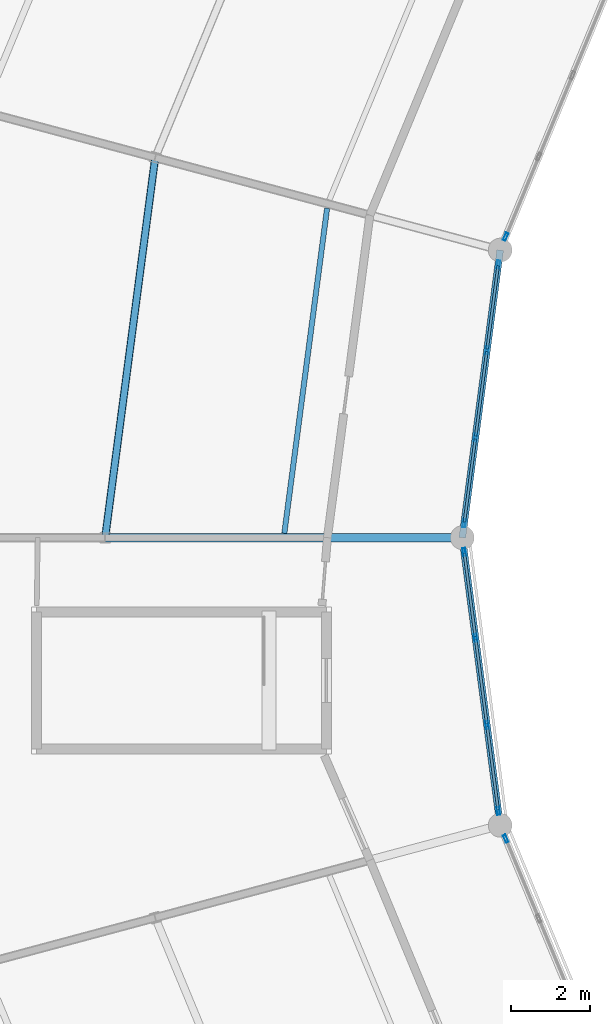
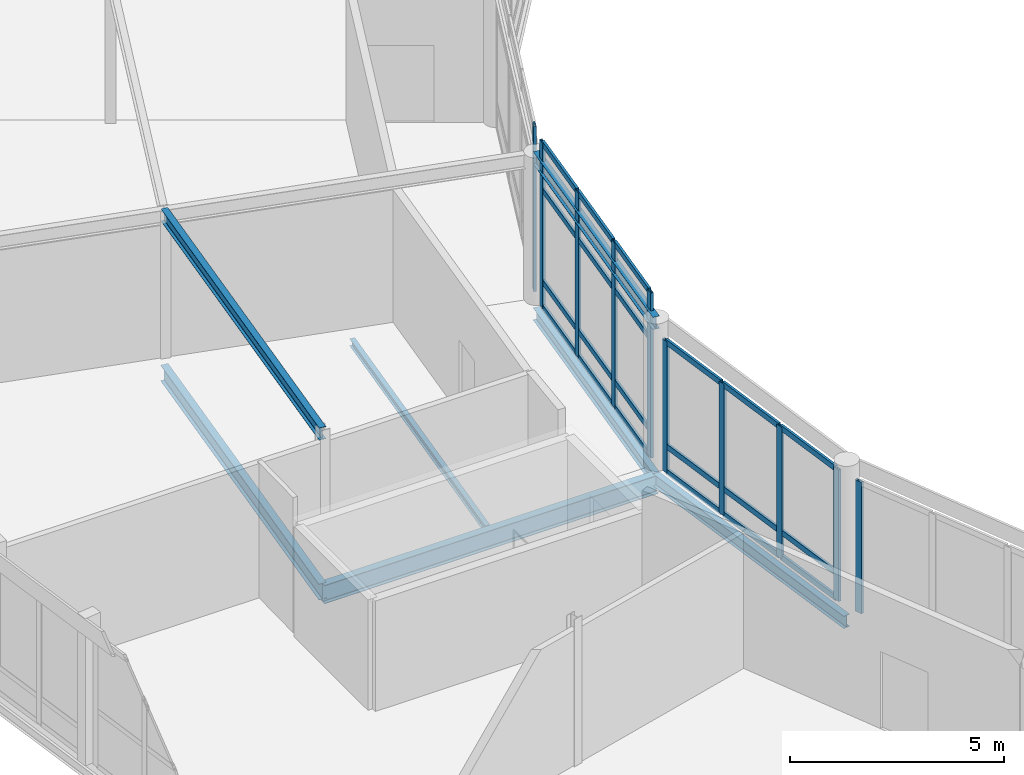
# One storey, part 80 of 200: 31 members, 7 beams, 4 elements without a shape of their own.
"""IFC4 building model written with IfcOpenShell, lengths in metres."""

from ifc_helpers import new_model, si_unit, direction, frame, origin, origin_2d, place, context, subcontext, project, spatial, hollow_rectangle, i_section, extrude, material, material_profile, profile_set, type_object, element, aggregate, save


model = new_model("IFC4")

# Units and contexts
model_context = context("Model", 3, precision=1e-05, world=origin(), true_north=direction((0.0, 1.0)))
body_context = subcontext(model_context, "Body", "Model", "MODEL_VIEW")
ifc_project = project(units=[si_unit("LENGTHUNIT", "METRE"), si_unit("AREAUNIT", "SQUARE_METRE"), si_unit("VOLUMEUNIT", "CUBIC_METRE"), si_unit("PLANEANGLEUNIT", "RADIAN"), si_unit("MASSUNIT", "GRAM", prefix="KILO")], contexts=[model_context])

# Site, building, storey
site_placement = place(None, origin())
site = spatial("IfcSite", under=ifc_project, at=site_placement, CompositionType="ELEMENT")
building_placement = place(site_placement, origin())
building = spatial("IfcBuilding", under=site, at=building_placement, Name="Vondelvale Polytechnic", CompositionType="ELEMENT")
storey_placement = place(building_placement, frame((0.0, 0.0, 13.800048828125)))
storey = spatial("IfcBuildingStorey", under=building, at=storey_placement, Name="L03", CompositionType="ELEMENT", Elevation=13.800048828125)

# Beams
ifc_material_1 = material(Name="Steel 300PLUS (fy = 300 MPa)", Category="steel")
ifc_material_profile_1 = material_profile(ifc_material_1, i_section(OverallWidth=0.1708984375, OverallDepth=0.35205078125, WebThickness=0.0068359375, FlangeThickness=0.009765625, FilletRadius=0.011474609375, at=origin_2d()), Name="360UB44.7")
ifc_profile_set_1 = profile_set([ifc_material_profile_1], Name="Steel 300PLUS (fy = 300 MPa)")
beam_type_1 = type_object("IfcBeamType", Name="BM-UB360L", PredefinedType="BEAM", material=ifc_profile_set_1)
for number, where, z_axis, x_axis, name in (
    (1, (74.9541015625, 79.246826171875, -0.426025390625), (-0.13053140969, -0.991444174467, 0.0), (0.991444174467, -0.13053140969, 0.0), "L03 RB B-24"),
    (2, (74.9541015625, 79.246826171875, 4.02392578125), (-0.13053140969, -0.991444174467, 0.0), (0.991444174467, -0.13053140969, 0.0), "L03 RE B-24"),
):
    element("IfcBeam", number, at=place(storey_placement, frame(where, z_axis=z_axis, x_axis=x_axis)), inside=storey, type_object=beam_type_1, Name=name, PredefinedType="BEAM", context=body_context, shape_type="SweptSolid", body=[
        extrude(i_section(OverallWidth=0.1708984375, OverallDepth=0.35205078125, WebThickness=0.0068359375, FlangeThickness=0.009765625, FilletRadius=0.011474609375, at=origin_2d()), origin(), (0.0, 0.0, 1.0), 7.309326171875),
    ])
beam_1_placement = place(storey_placement, frame((66.2607421875, 81.576416015625, 4.02392578125), z_axis=(-0.130524472487, -0.991445087779, 0.0), x_axis=(0.991445087779, -0.130524472487, 0.0)))
element("IfcBeam", 3, at=beam_1_placement, inside=storey, type_object=beam_type_1, Name="L03 RE B-24", PredefinedType="BEAM", context=body_context, shape_type="SweptSolid", body=[
    extrude(i_section(OverallWidth=0.1708984375, OverallDepth=0.35205078125, WebThickness=0.0068359375, FlangeThickness=0.009765625, FilletRadius=0.011474609375, at=origin_2d()), origin(), (0.0, 0.0, 1.0), 9.658935546875),
])
beam_2_placement = place(storey_placement, frame((74.0, 72.0, -0.426025390625), z_axis=(0.13053140969, -0.991444174467, 0.0), x_axis=(0.991444174467, 0.13053140969, 0.0)))
element("IfcBeam", 4, at=beam_2_placement, inside=storey, type_object=beam_type_1, Name="L03 RB B-24", PredefinedType="BEAM", context=body_context, shape_type="SweptSolid", body=[
    extrude(i_section(OverallWidth=0.1708984375, OverallDepth=0.35205078125, WebThickness=0.0068359375, FlangeThickness=0.009765625, FilletRadius=0.011474609375, at=origin_2d()), origin(), (0.0, 0.0, 1.0), 7.309326171875),
])
ifc_material_profile_2 = material_profile(ifc_material_1, i_section(OverallWidth=0.18994140625, OverallDepth=0.4541015625, WebThickness=0.008544921875, FlangeThickness=0.0126953125, FilletRadius=0.011474609375, at=origin_2d()), Name="460UB67.1")
ifc_profile_set_2 = profile_set([ifc_material_profile_2], Name="Steel 300PLUS (fy = 300 MPa)")
beam_type_2 = type_object("IfcBeamType", Name="BM-UB460L", PredefinedType="BEAM", material=ifc_profile_set_2)
beam_3_placement = place(storey_placement, frame((66.2607421875, 81.576416015625, -0.47705078125), z_axis=(-0.130524472487, -0.991445087779, 0.0), x_axis=(0.991445087779, -0.130524472487, 0.0)))
element("IfcBeam", 5, at=beam_3_placement, inside=storey, type_object=beam_type_2, Name="L03 RB B-22", PredefinedType="BEAM", context=body_context, shape_type="SweptSolid", body=[
    extrude(i_section(OverallWidth=0.18994140625, OverallDepth=0.4541015625, WebThickness=0.008544921875, FlangeThickness=0.0126953125, FilletRadius=0.011474609375, at=origin_2d()), origin(), (0.0, 0.0, 1.0), 9.658935546875),
])
ifc_material_profile_3 = material_profile(ifc_material_1, i_section(OverallWidth=0.208984375, OverallDepth=0.528076171875, WebThickness=0.009521484375, FlangeThickness=0.01318359375, FilletRadius=0.013916015625, at=origin_2d()), Name="530UB82.0")
ifc_profile_set_3 = profile_set([ifc_material_profile_3], Name="Steel 300PLUS (fy = 300 MPa)")
beam_type_3 = type_object("IfcBeamType", Name="BM-UB530L", PredefinedType="BEAM", material=ifc_profile_set_3)
beam_4_placement = place(storey_placement, frame((74.0, 72.0, -0.51416015625), z_axis=(-1.0, 0.0, 0.0), x_axis=(0.0, -1.0, 0.0)))
element("IfcBeam", 6, at=beam_4_placement, inside=storey, type_object=beam_type_3, Name="L03 RG B-21", PredefinedType="BEAM", context=body_context, shape_type="SweptSolid", body=[
    extrude(i_section(OverallWidth=0.208984375, OverallDepth=0.528076171875, WebThickness=0.009521484375, FlangeThickness=0.01318359375, FilletRadius=0.013916015625, at=origin_2d()), origin(), (0.0, 0.0, 1.0), 9.0),
])

# Curtain wall, member
ifc_material_2 = material(Name="Anodised extruded aluminium 6063-T6", Category="aluminium")
curtain_wall_type = type_object("IfcCurtainWallType", Name="CW-RING-CLOISTER", PredefinedType="NOTDEFINED", material=ifc_material_2)
curtain_wall_1_placement = place(storey_placement, origin())
curtain_wall_1 = element("IfcCurtainWall", 7, at=curtain_wall_1_placement, inside=storey, type_object=curtain_wall_type, Name="L03 architectural curtain wall CW-03-237", PredefinedType="NOTDEFINED")
ifc_material_profile_4 = material_profile(ifc_material_2, hollow_rectangle(XDim=0.070068359375, YDim=0.199951171875, WallThickness=0.00390625, at=origin_2d()), Name="CW-MUL-200x70")
ifc_profile_set_4 = profile_set([ifc_material_profile_4], Name="Anodised extruded aluminium 6063-T6")
member_type_1 = type_object("IfcMemberType", Name="CW-MUL-70x200", PredefinedType="MULLION", material=ifc_profile_set_4)
member_1_placement = place(storey_placement, frame((75.09375, 79.584228515625, 0.0), z_axis=(0.0, 0.0, 1.0), x_axis=(0.923881562419, -0.382678531697, 0.0)))
member_1 = element("IfcMember", 8, at=member_1_placement, type_object=member_type_1, Name="CW-03-237 mullion 4", PredefinedType="MULLION", context=body_context, shape_type="SweptSolid", body=[
    extrude(hollow_rectangle(XDim=0.070068359375, YDim=0.199951171875, WallThickness=0.00390625, at=origin_2d()), origin(), (0.0, 0.0, 1.0), 4.713134765625),
])
aggregate(curtain_wall_1, [member_1])

# Curtain wall, members
curtain_wall_2_placement = place(storey_placement, origin())
curtain_wall_2 = element("IfcCurtainWall", 9, at=curtain_wall_2_placement, inside=storey, type_object=curtain_wall_type, Name="L03 architectural curtain wall CW-03-252", PredefinedType="NOTDEFINED")
member_2_placement = place(storey_placement, frame((74.90673828125, 78.886474609375, 0.0), z_axis=(0.0, 0.0, 1.0), x_axis=(0.99144462243, -0.130528007165, 0.0)))
member_2 = element("IfcMember", 10, at=member_2_placement, type_object=member_type_1, Name="CW-03-252 mullion 1", PredefinedType="MULLION", context=body_context, shape_type="SweptSolid", body=[
    extrude(hollow_rectangle(XDim=0.070068359375, YDim=0.199951171875, WallThickness=0.00390625, at=origin_2d()), origin(), (0.0, 0.0, 1.0), 4.713134765625),
])
member_3_placement = place(storey_placement, frame((74.621826171875, 76.72265625, 0.0), z_axis=(0.0, 0.0, 1.0), x_axis=(0.99144462243, -0.130528007165, 0.0)))
member_3 = element("IfcMember", 11, at=member_3_placement, type_object=member_type_1, Name="CW-03-252 mullion 2", PredefinedType="MULLION", context=body_context, shape_type="SweptSolid", body=[
    extrude(hollow_rectangle(XDim=0.070068359375, YDim=0.199951171875, WallThickness=0.00390625, at=origin_2d()), origin(), (0.0, 0.0, 1.0), 4.713134765625),
])
member_4_placement = place(storey_placement, frame((74.332275390625, 74.524169921875, 0.0), z_axis=(0.0, 0.0, 1.0), x_axis=(0.99144462243, -0.130528007165, 0.0)))
member_4 = element("IfcMember", 12, at=member_4_placement, type_object=member_type_1, Name="CW-03-252 mullion 3", PredefinedType="MULLION", context=body_context, shape_type="SweptSolid", body=[
    extrude(hollow_rectangle(XDim=0.070068359375, YDim=0.199951171875, WallThickness=0.00390625, at=origin_2d()), origin(), (0.0, 0.0, 1.0), 4.713134765625),
])
member_5_placement = place(storey_placement, frame((74.04736328125, 72.360595703125, 0.0), z_axis=(0.0, 0.0, 1.0), x_axis=(0.99144462243, -0.130528007165, 0.0)))
member_5 = element("IfcMember", 13, at=member_5_placement, type_object=member_type_1, Name="CW-03-252 mullion 4", PredefinedType="MULLION", context=body_context, shape_type="SweptSolid", body=[
    extrude(hollow_rectangle(XDim=0.070068359375, YDim=0.199951171875, WallThickness=0.00390625, at=origin_2d()), origin(), (0.0, 0.0, 1.0), 4.713134765625),
])

curtain_wall_3_placement = place(storey_placement, origin())
curtain_wall_3 = element("IfcCurtainWall", 14, at=curtain_wall_3_placement, inside=storey, type_object=curtain_wall_type, Name="L03 architectural curtain wall CW-03-267", PredefinedType="NOTDEFINED")
member_6_placement = place(storey_placement, frame((74.04736328125, 71.639404296875, 0.0), z_axis=(0.0, 0.0, 1.0), x_axis=(0.99144462243, 0.130528007165, 0.0)))
member_6 = element("IfcMember", 15, at=member_6_placement, type_object=member_type_1, Name="CW-03-267 mullion 1", PredefinedType="MULLION", context=body_context, shape_type="SweptSolid", body=[
    extrude(hollow_rectangle(XDim=0.070068359375, YDim=0.199951171875, WallThickness=0.00390625, at=origin_2d()), origin(), (0.0, 0.0, 1.0), 3.75),
])
member_7_placement = place(storey_placement, frame((74.332275390625, 69.475830078125, 0.0), z_axis=(0.0, 0.0, 1.0), x_axis=(0.99144462243, 0.130528007165, 0.0)))
member_7 = element("IfcMember", 16, at=member_7_placement, type_object=member_type_1, Name="CW-03-267 mullion 2", PredefinedType="MULLION", context=body_context, shape_type="SweptSolid", body=[
    extrude(hollow_rectangle(XDim=0.070068359375, YDim=0.199951171875, WallThickness=0.00390625, at=origin_2d()), origin(), (0.0, 0.0, 1.0), 3.75),
])
member_8_placement = place(storey_placement, frame((74.621826171875, 67.27734375, 0.0), z_axis=(0.0, 0.0, 1.0), x_axis=(0.99144462243, 0.130528007165, 0.0)))
member_8 = element("IfcMember", 17, at=member_8_placement, type_object=member_type_1, Name="CW-03-267 mullion 3", PredefinedType="MULLION", context=body_context, shape_type="SweptSolid", body=[
    extrude(hollow_rectangle(XDim=0.070068359375, YDim=0.199951171875, WallThickness=0.00390625, at=origin_2d()), origin(), (0.0, 0.0, 1.0), 3.75),
])
member_9_placement = place(storey_placement, frame((74.90673828125, 65.113525390625, 0.0), z_axis=(0.0, 0.0, 1.0), x_axis=(0.99144462243, 0.130528007165, 0.0)))
member_9 = element("IfcMember", 18, at=member_9_placement, type_object=member_type_1, Name="CW-03-267 mullion 4", PredefinedType="MULLION", context=body_context, shape_type="SweptSolid", body=[
    extrude(hollow_rectangle(XDim=0.070068359375, YDim=0.199951171875, WallThickness=0.00390625, at=origin_2d()), origin(), (0.0, 0.0, 1.0), 3.75),
])

# Curtain wall, member
curtain_wall_4_placement = place(storey_placement, origin())
curtain_wall_4 = element("IfcCurtainWall", 19, at=curtain_wall_4_placement, inside=storey, type_object=curtain_wall_type, Name="L03 architectural curtain wall CW-03-287", PredefinedType="NOTDEFINED")
member_10_placement = place(storey_placement, frame((75.09375, 64.415771484375, 0.0), z_axis=(0.0, 0.0, 1.0), x_axis=(0.923881562419, 0.382678531697, 0.0)))
member_10 = element("IfcMember", 20, at=member_10_placement, type_object=member_type_1, Name="CW-03-287 mullion 1", PredefinedType="MULLION", context=body_context, shape_type="SweptSolid", body=[
    extrude(hollow_rectangle(XDim=0.070068359375, YDim=0.199951171875, WallThickness=0.00390625, at=origin_2d()), origin(), (0.0, 0.0, 1.0), 3.75),
])
aggregate(curtain_wall_4, [member_10])

# Member
ifc_material_profile_5 = material_profile(ifc_material_2, hollow_rectangle(XDim=0.06494140625, YDim=0.159912109375, WallThickness=0.00341796875, at=origin_2d()), Name="CW-TRN-160x65")
ifc_profile_set_5 = profile_set([ifc_material_profile_5], Name="Anodised extruded aluminium 6063-T6")
member_type_2 = type_object("IfcMemberType", Name="CW-TRN-70x160", PredefinedType="USERDEFINED", material=ifc_profile_set_5)
member_11_placement = place(storey_placement, frame((74.902099609375, 78.851806640625, 0.032470703125), z_axis=(-0.130589036243, -0.991436585775, 0.0), x_axis=(0.991436585775, -0.130589036243, 0.0)))
member_11 = element("IfcMember", 21, at=member_11_placement, type_object=member_type_2, Name="CW-03-252 transom 1.1", ObjectType="TRANSOM", PredefinedType="USERDEFINED", context=body_context, shape_type="SweptSolid", body=[
    extrude(hollow_rectangle(XDim=0.06494140625, YDim=0.159912109375, WallThickness=0.00341796875, at=origin_2d()), origin(), (0.0, 0.0, 1.0), 2.112548828125),
])

member_12_placement = place(storey_placement, frame((74.902099609375, 78.851806640625, 0.75), z_axis=(-0.130589036243, -0.991436585775, 0.0), x_axis=(0.991436585775, -0.130589036243, 0.0)))
member_12 = element("IfcMember", 22, at=member_12_placement, type_object=member_type_2, Name="CW-03-252 transom 1.2", ObjectType="TRANSOM", PredefinedType="USERDEFINED", context=body_context, shape_type="SweptSolid", body=[
    extrude(hollow_rectangle(XDim=0.06494140625, YDim=0.159912109375, WallThickness=0.00341796875, at=origin_2d()), origin(), (0.0, 0.0, 1.0), 2.112548828125),
])

member_13_placement = place(storey_placement, frame((74.902099609375, 78.851806640625, 3.363037109375), z_axis=(-0.130589036243, -0.991436585775, 0.0), x_axis=(0.991436585775, -0.130589036243, 0.0)))
member_13 = element("IfcMember", 23, at=member_13_placement, type_object=member_type_2, Name="CW-03-252 transom 1.3", ObjectType="TRANSOM", PredefinedType="USERDEFINED", context=body_context, shape_type="SweptSolid", body=[
    extrude(hollow_rectangle(XDim=0.06494140625, YDim=0.159912109375, WallThickness=0.00341796875, at=origin_2d()), origin(), (0.0, 0.0, 1.0), 2.112548828125),
])

member_14_placement = place(storey_placement, frame((74.902099609375, 78.851806640625, 4.6806640625), z_axis=(-0.130589036243, -0.991436585775, 0.0), x_axis=(0.991436585775, -0.130589036243, 0.0)))
member_14 = element("IfcMember", 24, at=member_14_placement, type_object=member_type_2, Name="CW-03-252 transom 1.4", ObjectType="TRANSOM", PredefinedType="USERDEFINED", context=body_context, shape_type="SweptSolid", body=[
    extrude(hollow_rectangle(XDim=0.06494140625, YDim=0.159912109375, WallThickness=0.00341796875, at=origin_2d()), origin(), (0.0, 0.0, 1.0), 2.112548828125),
])

member_15_placement = place(storey_placement, frame((74.6171875, 76.68798828125, 0.032470703125), z_axis=(-0.1305103875, -0.991446941977, 0.0), x_axis=(0.991446941977, -0.1305103875, 0.0)))
member_15 = element("IfcMember", 25, at=member_15_placement, type_object=member_type_2, Name="CW-03-252 transom 2.1", ObjectType="TRANSOM", PredefinedType="USERDEFINED", context=body_context, shape_type="SweptSolid", body=[
    extrude(hollow_rectangle(XDim=0.06494140625, YDim=0.159912109375, WallThickness=0.00341796875, at=origin_2d()), origin(), (0.0, 0.0, 1.0), 2.1474609375),
])

member_16_placement = place(storey_placement, frame((74.6171875, 76.68798828125, 0.75), z_axis=(-0.1305103875, -0.991446941977, 0.0), x_axis=(0.991446941977, -0.1305103875, 0.0)))
member_16 = element("IfcMember", 26, at=member_16_placement, type_object=member_type_2, Name="CW-03-252 transom 2.2", ObjectType="TRANSOM", PredefinedType="USERDEFINED", context=body_context, shape_type="SweptSolid", body=[
    extrude(hollow_rectangle(XDim=0.06494140625, YDim=0.159912109375, WallThickness=0.00341796875, at=origin_2d()), origin(), (0.0, 0.0, 1.0), 2.1474609375),
])

member_17_placement = place(storey_placement, frame((74.6171875, 76.68798828125, 3.363037109375), z_axis=(-0.1305103875, -0.991446941977, 0.0), x_axis=(0.991446941977, -0.1305103875, 0.0)))
member_17 = element("IfcMember", 27, at=member_17_placement, type_object=member_type_2, Name="CW-03-252 transom 2.3", ObjectType="TRANSOM", PredefinedType="USERDEFINED", context=body_context, shape_type="SweptSolid", body=[
    extrude(hollow_rectangle(XDim=0.06494140625, YDim=0.159912109375, WallThickness=0.00341796875, at=origin_2d()), origin(), (0.0, 0.0, 1.0), 2.1474609375),
])

member_18_placement = place(storey_placement, frame((74.6171875, 76.68798828125, 4.6806640625), z_axis=(-0.1305103875, -0.991446941977, 0.0), x_axis=(0.991446941977, -0.1305103875, 0.0)))
member_18 = element("IfcMember", 28, at=member_18_placement, type_object=member_type_2, Name="CW-03-252 transom 2.4", ObjectType="TRANSOM", PredefinedType="USERDEFINED", context=body_context, shape_type="SweptSolid", body=[
    extrude(hollow_rectangle(XDim=0.06494140625, YDim=0.159912109375, WallThickness=0.00341796875, at=origin_2d()), origin(), (0.0, 0.0, 1.0), 2.1474609375),
])

member_19_placement = place(storey_placement, frame((74.327880859375, 74.489501953125, 0.032470703125), z_axis=(-0.130604000296, -0.99143461464, 0.0), x_axis=(0.99143461464, -0.130604000296, 0.0)))
member_19 = element("IfcMember", 29, at=member_19_placement, type_object=member_type_2, Name="CW-03-252 transom 3.1", ObjectType="TRANSOM", PredefinedType="USERDEFINED", context=body_context, shape_type="SweptSolid", body=[
    extrude(hollow_rectangle(XDim=0.06494140625, YDim=0.159912109375, WallThickness=0.00341796875, at=origin_2d()), origin(), (0.0, 0.0, 1.0), 2.1123046875),
])

member_20_placement = place(storey_placement, frame((74.327880859375, 74.489501953125, 0.75), z_axis=(-0.130604000296, -0.99143461464, 0.0), x_axis=(0.99143461464, -0.130604000296, 0.0)))
member_20 = element("IfcMember", 30, at=member_20_placement, type_object=member_type_2, Name="CW-03-252 transom 3.2", ObjectType="TRANSOM", PredefinedType="USERDEFINED", context=body_context, shape_type="SweptSolid", body=[
    extrude(hollow_rectangle(XDim=0.06494140625, YDim=0.159912109375, WallThickness=0.00341796875, at=origin_2d()), origin(), (0.0, 0.0, 1.0), 2.1123046875),
])

member_21_placement = place(storey_placement, frame((74.327880859375, 74.489501953125, 3.363037109375), z_axis=(-0.130604000296, -0.99143461464, 0.0), x_axis=(0.99143461464, -0.130604000296, 0.0)))
member_21 = element("IfcMember", 31, at=member_21_placement, type_object=member_type_2, Name="CW-03-252 transom 3.3", ObjectType="TRANSOM", PredefinedType="USERDEFINED", context=body_context, shape_type="SweptSolid", body=[
    extrude(hollow_rectangle(XDim=0.06494140625, YDim=0.159912109375, WallThickness=0.00341796875, at=origin_2d()), origin(), (0.0, 0.0, 1.0), 2.1123046875),
])

member_22_placement = place(storey_placement, frame((74.327880859375, 74.489501953125, 4.6806640625), z_axis=(-0.130604000296, -0.99143461464, 0.0), x_axis=(0.99143461464, -0.130604000296, 0.0)))
member_22 = element("IfcMember", 32, at=member_22_placement, type_object=member_type_2, Name="CW-03-252 transom 3.4", ObjectType="TRANSOM", PredefinedType="USERDEFINED", context=body_context, shape_type="SweptSolid", body=[
    extrude(hollow_rectangle(XDim=0.06494140625, YDim=0.159912109375, WallThickness=0.00341796875, at=origin_2d()), origin(), (0.0, 0.0, 1.0), 2.1123046875),
])

aggregate(curtain_wall_2, [member_2, member_3, member_4, member_5, member_11, member_12, member_13, member_14, member_15, member_16, member_17, member_18, member_19, member_20, member_21, member_22])

member_23_placement = place(storey_placement, frame((74.052001953125, 71.604736328125, 0.032470703125), z_axis=(0.130604000296, -0.99143461464, 0.0), x_axis=(0.99143461464, 0.130604000296, 0.0)))
member_23 = element("IfcMember", 33, at=member_23_placement, type_object=member_type_2, Name="CW-03-267 transom 1.1", ObjectType="TRANSOM", PredefinedType="USERDEFINED", context=body_context, shape_type="SweptSolid", body=[
    extrude(hollow_rectangle(XDim=0.06494140625, YDim=0.159912109375, WallThickness=0.00341796875, at=origin_2d()), origin(), (0.0, 0.0, 1.0), 2.1123046875),
])

member_24_placement = place(storey_placement, frame((74.052001953125, 71.604736328125, 0.75), z_axis=(0.130604000296, -0.99143461464, 0.0), x_axis=(0.99143461464, 0.130604000296, 0.0)))
member_24 = element("IfcMember", 34, at=member_24_placement, type_object=member_type_2, Name="CW-03-267 transom 1.2", ObjectType="TRANSOM", PredefinedType="USERDEFINED", context=body_context, shape_type="SweptSolid", body=[
    extrude(hollow_rectangle(XDim=0.06494140625, YDim=0.159912109375, WallThickness=0.00341796875, at=origin_2d()), origin(), (0.0, 0.0, 1.0), 2.1123046875),
])

member_25_placement = place(storey_placement, frame((74.052001953125, 71.604736328125, 3.717529296875), z_axis=(0.130604000296, -0.99143461464, 0.0), x_axis=(0.99143461464, 0.130604000296, 0.0)))
member_25 = element("IfcMember", 35, at=member_25_placement, type_object=member_type_2, Name="CW-03-267 transom 1.3", ObjectType="TRANSOM", PredefinedType="USERDEFINED", context=body_context, shape_type="SweptSolid", body=[
    extrude(hollow_rectangle(XDim=0.06494140625, YDim=0.159912109375, WallThickness=0.00341796875, at=origin_2d()), origin(), (0.0, 0.0, 1.0), 2.1123046875),
])

member_26_placement = place(storey_placement, frame((74.3369140625, 69.441162109375, 0.032470703125), z_axis=(0.1305103875, -0.991446941977, 0.0), x_axis=(0.991446941977, 0.1305103875, 0.0)))
member_26 = element("IfcMember", 36, at=member_26_placement, type_object=member_type_2, Name="CW-03-267 transom 2.1", ObjectType="TRANSOM", PredefinedType="USERDEFINED", context=body_context, shape_type="SweptSolid", body=[
    extrude(hollow_rectangle(XDim=0.06494140625, YDim=0.159912109375, WallThickness=0.00341796875, at=origin_2d()), origin(), (0.0, 0.0, 1.0), 2.1474609375),
])

member_27_placement = place(storey_placement, frame((74.3369140625, 69.441162109375, 0.75), z_axis=(0.1305103875, -0.991446941977, 0.0), x_axis=(0.991446941977, 0.1305103875, 0.0)))
member_27 = element("IfcMember", 37, at=member_27_placement, type_object=member_type_2, Name="CW-03-267 transom 2.2", ObjectType="TRANSOM", PredefinedType="USERDEFINED", context=body_context, shape_type="SweptSolid", body=[
    extrude(hollow_rectangle(XDim=0.06494140625, YDim=0.159912109375, WallThickness=0.00341796875, at=origin_2d()), origin(), (0.0, 0.0, 1.0), 2.1474609375),
])

member_28_placement = place(storey_placement, frame((74.3369140625, 69.441162109375, 3.717529296875), z_axis=(0.1305103875, -0.991446941977, 0.0), x_axis=(0.991446941977, 0.1305103875, 0.0)))
member_28 = element("IfcMember", 38, at=member_28_placement, type_object=member_type_2, Name="CW-03-267 transom 2.3", ObjectType="TRANSOM", PredefinedType="USERDEFINED", context=body_context, shape_type="SweptSolid", body=[
    extrude(hollow_rectangle(XDim=0.06494140625, YDim=0.159912109375, WallThickness=0.00341796875, at=origin_2d()), origin(), (0.0, 0.0, 1.0), 2.1474609375),
])

member_29_placement = place(storey_placement, frame((74.626220703125, 67.24267578125, 0.032470703125), z_axis=(0.130589036243, -0.991436585775, 0.0), x_axis=(0.991436585775, 0.130589036243, 0.0)))
member_29 = element("IfcMember", 39, at=member_29_placement, type_object=member_type_2, Name="CW-03-267 transom 3.1", ObjectType="TRANSOM", PredefinedType="USERDEFINED", context=body_context, shape_type="SweptSolid", body=[
    extrude(hollow_rectangle(XDim=0.06494140625, YDim=0.159912109375, WallThickness=0.00341796875, at=origin_2d()), origin(), (0.0, 0.0, 1.0), 2.112548828125),
])

member_30_placement = place(storey_placement, frame((74.626220703125, 67.24267578125, 0.75), z_axis=(0.130589036243, -0.991436585775, 0.0), x_axis=(0.991436585775, 0.130589036243, 0.0)))
member_30 = element("IfcMember", 40, at=member_30_placement, type_object=member_type_2, Name="CW-03-267 transom 3.2", ObjectType="TRANSOM", PredefinedType="USERDEFINED", context=body_context, shape_type="SweptSolid", body=[
    extrude(hollow_rectangle(XDim=0.06494140625, YDim=0.159912109375, WallThickness=0.00341796875, at=origin_2d()), origin(), (0.0, 0.0, 1.0), 2.112548828125),
])

member_31_placement = place(storey_placement, frame((74.626220703125, 67.24267578125, 3.717529296875), z_axis=(0.130589036243, -0.991436585775, 0.0), x_axis=(0.991436585775, 0.130589036243, 0.0)))
member_31 = element("IfcMember", 41, at=member_31_placement, type_object=member_type_2, Name="CW-03-267 transom 3.3", ObjectType="TRANSOM", PredefinedType="USERDEFINED", context=body_context, shape_type="SweptSolid", body=[
    extrude(hollow_rectangle(XDim=0.06494140625, YDim=0.159912109375, WallThickness=0.00341796875, at=origin_2d()), origin(), (0.0, 0.0, 1.0), 2.112548828125),
])

aggregate(curtain_wall_3, [member_6, member_7, member_8, member_9, member_23, member_24, member_25, member_26, member_27, member_28, member_29, member_30, member_31])

# Beam
ifc_material_profile_6 = material_profile(ifc_material_1, i_section(OverallWidth=0.133056640625, OverallDepth=0.202880859375, WebThickness=0.005859375, FlangeThickness=0.0078125, FilletRadius=0.0087890625, at=origin_2d()), Name="200UB25.4")
ifc_profile_set_6 = profile_set([ifc_material_profile_6], Name="Steel 300PLUS (fy = 300 MPa)")
beam_type_4 = type_object("IfcBeamType", Name="JST-UB200", PredefinedType="JOIST", material=ifc_profile_set_6)
beam_5_placement = place(storey_placement, frame((70.593017578125, 80.302490234375, -0.3515625), z_axis=(-0.130518705366, -0.991445847008, 0.0), x_axis=(0.991445847008, -0.130518705366, 0.0)))
element("IfcBeam", 42, at=beam_5_placement, inside=storey, type_object=beam_type_4, Name="L03 RJ J-09", PredefinedType="JOIST", context=body_context, shape_type="SweptSolid", body=[
    extrude(i_section(OverallWidth=0.133056640625, OverallDepth=0.202880859375, WebThickness=0.005859375, FlangeThickness=0.0078125, FilletRadius=0.0087890625, at=origin_2d()), origin(), (0.0, 0.0, 1.0), 8.26416015625),
])

save(model, "model.ifc")
